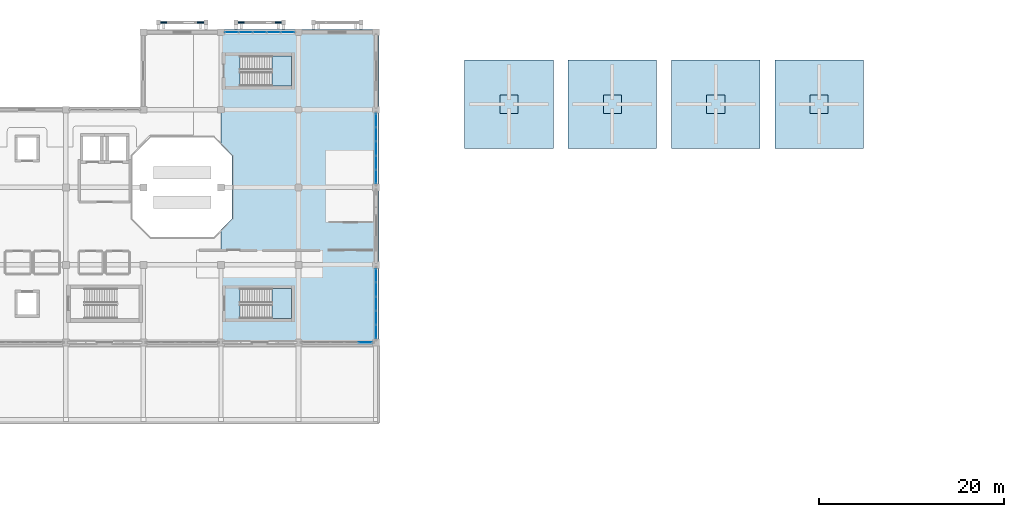
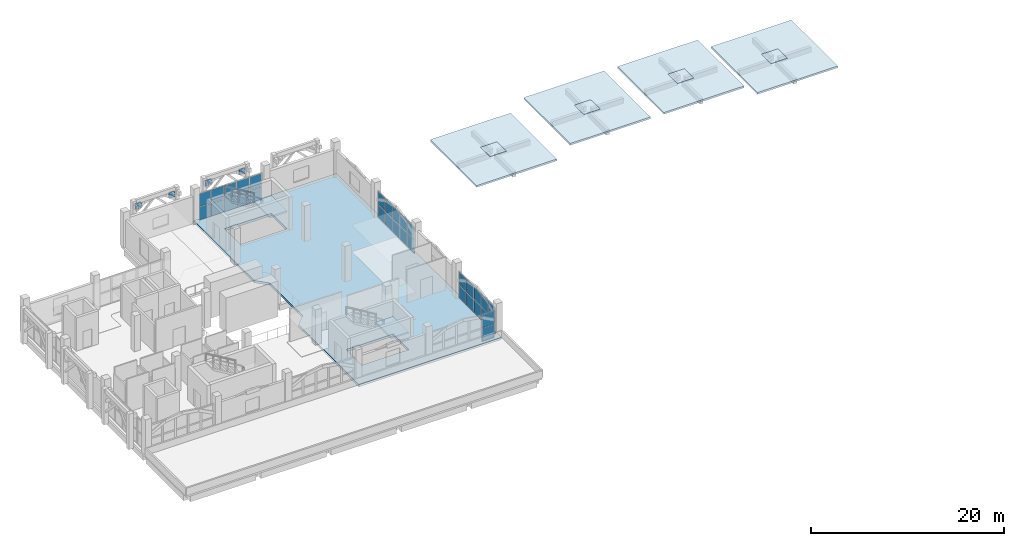
# One storey, part 21 of 30: 40 plates, 7 slabs, 6 elements without a shape of their own.
"""IFC4 building model written with IfcOpenShell, lengths in metres."""

from ifc_helpers import new_model, si_unit, direction, frame, origin, origin_2d, place, context, subcontext, project, spatial, polyline, rectangle, outline, extrude, material, layer, layer_set, type_object, element, aggregate, save


model = new_model("IFC4")

# Units and contexts
model_context = context("Model", 3, precision=1e-05, world=origin(), true_north=direction((0.0, 1.0)))
body_context = subcontext(model_context, "Body", "Model", "MODEL_VIEW")
ifc_project = project(units=[si_unit("LENGTHUNIT", "METRE"), si_unit("AREAUNIT", "SQUARE_METRE"), si_unit("VOLUMEUNIT", "CUBIC_METRE"), si_unit("PLANEANGLEUNIT", "RADIAN"), si_unit("MASSUNIT", "GRAM", prefix="KILO")], contexts=[model_context])

# Site, building, storey
site_placement = place(None, origin())
site = spatial("IfcSite", under=ifc_project, at=site_placement, CompositionType="ELEMENT")
building_placement = place(site_placement, origin())
building = spatial("IfcBuilding", under=site, at=building_placement, Name="Xazarin Passage Department Store", CompositionType="ELEMENT")
storey_placement = place(building_placement, frame((0.0, 0.0, 23.39990234375)))
storey = spatial("IfcBuildingStorey", under=building, at=storey_placement, Name="L05", CompositionType="ELEMENT", Elevation=23.39990234375)

# Curtain wall, plates
ifc_material_1 = material(Name="Bronze anodised aluminium", Category="aluminium")
ifc_layer_1 = layer(ifc_material_1, 0.199951171875)
ifc_layer_set_1 = layer_set([ifc_layer_1], Name="Bronze anodised aluminium")
curtain_wall_type = type_object("IfcCurtainWallType", Name="ARC-CW-VIT2", PredefinedType="NOTDEFINED", material=ifc_layer_set_1)
curtain_wall_1_placement = place(storey_placement, origin())
curtain_wall_1 = element("IfcCurtainWall", 1, at=curtain_wall_1_placement, inside=storey, type_object=curtain_wall_type, Name="L05 V1 Curtain Wall 078", PredefinedType="NOTDEFINED")
ifc_material_2 = material(Name="Low-E laminated safety glass", Category="glass")
ifc_layer_2 = layer(ifc_material_2, 0.031982421875)
ifc_layer_set_2 = layer_set([ifc_layer_2], Name="Low-E laminated safety glass")
plate_type_1 = type_object("IfcPlateType", Name="ARC-CWP-GLZ32", PredefinedType="CURTAIN_PANEL", material=ifc_layer_set_2)
plate_1_placement = place(storey_placement, frame((40.84130859375, 76.39990234375, 0.0751953125), z_axis=(0.0, 0.0, 1.0), x_axis=(1.0, 0.0, 0.0)))
plate_1 = element("IfcPlate", 2, at=plate_1_placement, type_object=plate_type_1, Name="CW2 panel 5.1", PredefinedType="CURTAIN_PANEL", context=body_context, shape_type="SweptSolid", body=[
    extrude(rectangle(XDim=1.41748046875, YDim=0.031982421875, at=origin_2d()), origin(), (0.0, 0.0, 1.0), 1.612548828125),
])
plate_2_placement = place(storey_placement, frame((40.84130859375, 76.39990234375, 1.7626953125), z_axis=(0.0, 0.0, 1.0), x_axis=(1.0, 0.0, 0.0)))
plate_2 = element("IfcPlate", 3, at=plate_2_placement, type_object=plate_type_1, Name="CW2 panel 5.2", PredefinedType="CURTAIN_PANEL", context=body_context, shape_type="SweptSolid", body=[
    extrude(rectangle(XDim=1.41748046875, YDim=0.031982421875, at=origin_2d()), origin(), (0.0, 0.0, 1.0), 1.612548828125),
])
aggregate(curtain_wall_1, [plate_1, plate_2])

curtain_wall_2_placement = place(storey_placement, origin())
curtain_wall_2 = element("IfcCurtainWall", 4, at=curtain_wall_2_placement, inside=storey, type_object=curtain_wall_type, Name="L05 V1 Curtain Wall 080", PredefinedType="NOTDEFINED")
plate_3_placement = place(storey_placement, frame((26.358642578125, 110.0, 0.0751953125), z_axis=(0.0, 0.0, 1.0), x_axis=(1.0, 0.0, 0.0)))
plate_3 = element("IfcPlate", 5, at=plate_3_placement, type_object=plate_type_1, Name="CW2 panel 1.1", PredefinedType="CURTAIN_PANEL", context=body_context, shape_type="SweptSolid", body=[
    extrude(rectangle(XDim=1.41748046875, YDim=0.031982421875, at=origin_2d()), origin(), (0.0, 0.0, 1.0), 1.612548828125),
])
plate_4_placement = place(storey_placement, frame((26.358642578125, 110.0, 1.7626953125), z_axis=(0.0, 0.0, 1.0), x_axis=(1.0, 0.0, 0.0)))
plate_4 = element("IfcPlate", 6, at=plate_4_placement, type_object=plate_type_1, Name="CW2 panel 1.2", PredefinedType="CURTAIN_PANEL", context=body_context, shape_type="SweptSolid", body=[
    extrude(rectangle(XDim=1.41748046875, YDim=0.031982421875, at=origin_2d()), origin(), (0.0, 0.0, 1.0), 1.612548828125),
])
plate_5_placement = place(storey_placement, frame((27.8701171875, 110.0, 0.0751953125), z_axis=(0.0, 0.0, 1.0), x_axis=(1.0, 0.0, 0.0)))
plate_5 = element("IfcPlate", 7, at=plate_5_placement, type_object=plate_type_1, Name="CW2 panel 2.1", PredefinedType="CURTAIN_PANEL", context=body_context, shape_type="SweptSolid", body=[
    extrude(rectangle(XDim=1.455078125, YDim=0.031982421875, at=origin_2d()), origin(), (0.0, 0.0, 1.0), 1.612548828125),
])
plate_6_placement = place(storey_placement, frame((27.8701171875, 110.0, 1.7626953125), z_axis=(0.0, 0.0, 1.0), x_axis=(1.0, 0.0, 0.0)))
plate_6 = element("IfcPlate", 8, at=plate_6_placement, type_object=plate_type_1, Name="CW2 panel 2.2", PredefinedType="CURTAIN_PANEL", context=body_context, shape_type="SweptSolid", body=[
    extrude(rectangle(XDim=1.455078125, YDim=0.031982421875, at=origin_2d()), origin(), (0.0, 0.0, 1.0), 1.612548828125),
])
plate_7_placement = place(storey_placement, frame((29.39990234375, 110.0, 0.0751953125), z_axis=(0.0, 0.0, 1.0), x_axis=(1.0, 0.0, 0.0)))
plate_7 = element("IfcPlate", 9, at=plate_7_placement, type_object=plate_type_1, Name="CW2 panel 3.1", PredefinedType="CURTAIN_PANEL", context=body_context, shape_type="SweptSolid", body=[
    extrude(rectangle(XDim=1.455078125, YDim=0.031982421875, at=origin_2d()), origin(), (0.0, 0.0, 1.0), 1.612548828125),
])
plate_8_placement = place(storey_placement, frame((29.39990234375, 110.0, 1.7626953125), z_axis=(0.0, 0.0, 1.0), x_axis=(1.0, 0.0, 0.0)))
plate_8 = element("IfcPlate", 10, at=plate_8_placement, type_object=plate_type_1, Name="CW2 panel 3.2", PredefinedType="CURTAIN_PANEL", context=body_context, shape_type="SweptSolid", body=[
    extrude(rectangle(XDim=1.455078125, YDim=0.031982421875, at=origin_2d()), origin(), (0.0, 0.0, 1.0), 1.612548828125),
])
plate_9_placement = place(storey_placement, frame((30.929931640625, 110.0, 0.0751953125), z_axis=(0.0, 0.0, 1.0), x_axis=(1.0, 0.0, 0.0)))
plate_9 = element("IfcPlate", 11, at=plate_9_placement, type_object=plate_type_1, Name="CW2 panel 4.1", PredefinedType="CURTAIN_PANEL", context=body_context, shape_type="SweptSolid", body=[
    extrude(rectangle(XDim=1.455078125, YDim=0.031982421875, at=origin_2d()), origin(), (0.0, 0.0, 1.0), 1.612548828125),
])
plate_10_placement = place(storey_placement, frame((30.929931640625, 110.0, 1.7626953125), z_axis=(0.0, 0.0, 1.0), x_axis=(1.0, 0.0, 0.0)))
plate_10 = element("IfcPlate", 12, at=plate_10_placement, type_object=plate_type_1, Name="CW2 panel 4.2", PredefinedType="CURTAIN_PANEL", context=body_context, shape_type="SweptSolid", body=[
    extrude(rectangle(XDim=1.455078125, YDim=0.031982421875, at=origin_2d()), origin(), (0.0, 0.0, 1.0), 1.612548828125),
])
plate_11_placement = place(storey_placement, frame((32.441162109375, 110.0, 0.0751953125), z_axis=(0.0, 0.0, 1.0), x_axis=(1.0, 0.0, 0.0)))
plate_11 = element("IfcPlate", 13, at=plate_11_placement, type_object=plate_type_1, Name="CW2 panel 5.1", PredefinedType="CURTAIN_PANEL", context=body_context, shape_type="SweptSolid", body=[
    extrude(rectangle(XDim=1.41748046875, YDim=0.031982421875, at=origin_2d()), origin(), (0.0, 0.0, 1.0), 1.612548828125),
])
plate_12_placement = place(storey_placement, frame((32.441162109375, 110.0, 1.7626953125), z_axis=(0.0, 0.0, 1.0), x_axis=(1.0, 0.0, 0.0)))
plate_12 = element("IfcPlate", 14, at=plate_12_placement, type_object=plate_type_1, Name="CW2 panel 5.2", PredefinedType="CURTAIN_PANEL", context=body_context, shape_type="SweptSolid", body=[
    extrude(rectangle(XDim=1.41748046875, YDim=0.031982421875, at=origin_2d()), origin(), (0.0, 0.0, 1.0), 1.612548828125),
])
aggregate(curtain_wall_2, [plate_3, plate_4, plate_5, plate_6, plate_7, plate_8, plate_9, plate_10, plate_11, plate_12])

curtain_wall_3_placement = place(storey_placement, origin())
curtain_wall_3 = element("IfcCurtainWall", 15, at=curtain_wall_3_placement, inside=storey, type_object=curtain_wall_type, Name="L05 V1 Curtain Wall 083", PredefinedType="NOTDEFINED")
plate_13_placement = place(storey_placement, frame((42.0, 77.558837890625, 0.0751953125), z_axis=(0.0, 0.0, 1.0), x_axis=(0.0, 1.0, 0.0)))
plate_13 = element("IfcPlate", 16, at=plate_13_placement, type_object=plate_type_1, Name="CW2 panel 1.1", PredefinedType="CURTAIN_PANEL", context=body_context, shape_type="SweptSolid", body=[
    extrude(rectangle(XDim=1.41748046875, YDim=0.031982421875, at=origin_2d()), origin(), (0.0, 0.0, 1.0), 1.612548828125),
])
plate_14_placement = place(storey_placement, frame((42.0, 77.558837890625, 1.7626953125), z_axis=(0.0, 0.0, 1.0), x_axis=(0.0, 1.0, 0.0)))
plate_14 = element("IfcPlate", 17, at=plate_14_placement, type_object=plate_type_1, Name="CW2 panel 1.2", PredefinedType="CURTAIN_PANEL", context=body_context, shape_type="SweptSolid", body=[
    extrude(rectangle(XDim=1.41748046875, YDim=0.031982421875, at=origin_2d()), origin(), (0.0, 0.0, 1.0), 1.612548828125),
])
plate_15_placement = place(storey_placement, frame((42.0, 79.070068359375, 0.0751953125), z_axis=(0.0, 0.0, 1.0), x_axis=(0.0, 1.0, 0.0)))
plate_15 = element("IfcPlate", 18, at=plate_15_placement, type_object=plate_type_1, Name="CW2 panel 2.1", PredefinedType="CURTAIN_PANEL", context=body_context, shape_type="SweptSolid", body=[
    extrude(rectangle(XDim=1.455078125, YDim=0.031982421875, at=origin_2d()), origin(), (0.0, 0.0, 1.0), 1.612548828125),
])
plate_16_placement = place(storey_placement, frame((42.0, 79.070068359375, 1.7626953125), z_axis=(0.0, 0.0, 1.0), x_axis=(0.0, 1.0, 0.0)))
plate_16 = element("IfcPlate", 19, at=plate_16_placement, type_object=plate_type_1, Name="CW2 panel 2.2", PredefinedType="CURTAIN_PANEL", context=body_context, shape_type="SweptSolid", body=[
    extrude(rectangle(XDim=1.455078125, YDim=0.031982421875, at=origin_2d()), origin(), (0.0, 0.0, 1.0), 1.612548828125),
])
plate_17_placement = place(storey_placement, frame((42.0, 80.60009765625, 0.0751953125), z_axis=(0.0, 0.0, 1.0), x_axis=(0.0, 1.0, 0.0)))
plate_17 = element("IfcPlate", 20, at=plate_17_placement, type_object=plate_type_1, Name="CW2 panel 3.1", PredefinedType="CURTAIN_PANEL", context=body_context, shape_type="SweptSolid", body=[
    extrude(rectangle(XDim=1.455078125, YDim=0.031982421875, at=origin_2d()), origin(), (0.0, 0.0, 1.0), 1.612548828125),
])
plate_18_placement = place(storey_placement, frame((42.0, 80.60009765625, 1.7626953125), z_axis=(0.0, 0.0, 1.0), x_axis=(0.0, 1.0, 0.0)))
plate_18 = element("IfcPlate", 21, at=plate_18_placement, type_object=plate_type_1, Name="CW2 panel 3.2", PredefinedType="CURTAIN_PANEL", context=body_context, shape_type="SweptSolid", body=[
    extrude(rectangle(XDim=1.455078125, YDim=0.031982421875, at=origin_2d()), origin(), (0.0, 0.0, 1.0), 1.612548828125),
])
plate_19_placement = place(storey_placement, frame((42.0, 82.1298828125, 0.0751953125), z_axis=(0.0, 0.0, 1.0), x_axis=(0.0, 1.0, 0.0)))
plate_19 = element("IfcPlate", 22, at=plate_19_placement, type_object=plate_type_1, Name="CW2 panel 4.1", PredefinedType="CURTAIN_PANEL", context=body_context, shape_type="SweptSolid", body=[
    extrude(rectangle(XDim=1.455078125, YDim=0.031982421875, at=origin_2d()), origin(), (0.0, 0.0, 1.0), 1.612548828125),
])
plate_20_placement = place(storey_placement, frame((42.0, 82.1298828125, 1.7626953125), z_axis=(0.0, 0.0, 1.0), x_axis=(0.0, 1.0, 0.0)))
plate_20 = element("IfcPlate", 23, at=plate_20_placement, type_object=plate_type_1, Name="CW2 panel 4.2", PredefinedType="CURTAIN_PANEL", context=body_context, shape_type="SweptSolid", body=[
    extrude(rectangle(XDim=1.455078125, YDim=0.031982421875, at=origin_2d()), origin(), (0.0, 0.0, 1.0), 1.612548828125),
])
plate_21_placement = place(storey_placement, frame((42.0, 83.641357421875, 0.0751953125), z_axis=(0.0, 0.0, 1.0), x_axis=(0.0, 1.0, 0.0)))
plate_21 = element("IfcPlate", 24, at=plate_21_placement, type_object=plate_type_1, Name="CW2 panel 5.1", PredefinedType="CURTAIN_PANEL", context=body_context, shape_type="SweptSolid", body=[
    extrude(rectangle(XDim=1.41748046875, YDim=0.031982421875, at=origin_2d()), origin(), (0.0, 0.0, 1.0), 1.612548828125),
])
plate_22_placement = place(storey_placement, frame((42.0, 83.641357421875, 1.7626953125), z_axis=(0.0, 0.0, 1.0), x_axis=(0.0, 1.0, 0.0)))
plate_22 = element("IfcPlate", 25, at=plate_22_placement, type_object=plate_type_1, Name="CW2 panel 5.2", PredefinedType="CURTAIN_PANEL", context=body_context, shape_type="SweptSolid", body=[
    extrude(rectangle(XDim=1.41748046875, YDim=0.031982421875, at=origin_2d()), origin(), (0.0, 0.0, 1.0), 1.612548828125),
])
aggregate(curtain_wall_3, [plate_13, plate_14, plate_15, plate_16, plate_17, plate_18, plate_19, plate_20, plate_21, plate_22])

curtain_wall_4_placement = place(storey_placement, origin())
curtain_wall_4 = element("IfcCurtainWall", 26, at=curtain_wall_4_placement, inside=storey, type_object=curtain_wall_type, Name="L05 V1 Curtain Wall 084", PredefinedType="NOTDEFINED")
plate_23_placement = place(storey_placement, frame((42.0, 94.358642578125, 0.0751953125), z_axis=(0.0, 0.0, 1.0), x_axis=(0.0, 1.0, 0.0)))
plate_23 = element("IfcPlate", 27, at=plate_23_placement, type_object=plate_type_1, Name="CW2 panel 1.1", PredefinedType="CURTAIN_PANEL", context=body_context, shape_type="SweptSolid", body=[
    extrude(rectangle(XDim=1.41748046875, YDim=0.031982421875, at=origin_2d()), origin(), (0.0, 0.0, 1.0), 1.612548828125),
])
plate_24_placement = place(storey_placement, frame((42.0, 94.358642578125, 1.7626953125), z_axis=(0.0, 0.0, 1.0), x_axis=(0.0, 1.0, 0.0)))
plate_24 = element("IfcPlate", 28, at=plate_24_placement, type_object=plate_type_1, Name="CW2 panel 1.2", PredefinedType="CURTAIN_PANEL", context=body_context, shape_type="SweptSolid", body=[
    extrude(rectangle(XDim=1.41748046875, YDim=0.031982421875, at=origin_2d()), origin(), (0.0, 0.0, 1.0), 1.612548828125),
])
plate_25_placement = place(storey_placement, frame((42.0, 95.8701171875, 0.0751953125), z_axis=(0.0, 0.0, 1.0), x_axis=(0.0, 1.0, 0.0)))
plate_25 = element("IfcPlate", 29, at=plate_25_placement, type_object=plate_type_1, Name="CW2 panel 2.1", PredefinedType="CURTAIN_PANEL", context=body_context, shape_type="SweptSolid", body=[
    extrude(rectangle(XDim=1.455078125, YDim=0.031982421875, at=origin_2d()), origin(), (0.0, 0.0, 1.0), 1.612548828125),
])
plate_26_placement = place(storey_placement, frame((42.0, 95.8701171875, 1.7626953125), z_axis=(0.0, 0.0, 1.0), x_axis=(0.0, 1.0, 0.0)))
plate_26 = element("IfcPlate", 30, at=plate_26_placement, type_object=plate_type_1, Name="CW2 panel 2.2", PredefinedType="CURTAIN_PANEL", context=body_context, shape_type="SweptSolid", body=[
    extrude(rectangle(XDim=1.455078125, YDim=0.031982421875, at=origin_2d()), origin(), (0.0, 0.0, 1.0), 1.612548828125),
])
plate_27_placement = place(storey_placement, frame((42.0, 97.39990234375, 0.0751953125), z_axis=(0.0, 0.0, 1.0), x_axis=(0.0, 1.0, 0.0)))
plate_27 = element("IfcPlate", 31, at=plate_27_placement, type_object=plate_type_1, Name="CW2 panel 3.1", PredefinedType="CURTAIN_PANEL", context=body_context, shape_type="SweptSolid", body=[
    extrude(rectangle(XDim=1.455078125, YDim=0.031982421875, at=origin_2d()), origin(), (0.0, 0.0, 1.0), 1.612548828125),
])
plate_28_placement = place(storey_placement, frame((42.0, 97.39990234375, 1.7626953125), z_axis=(0.0, 0.0, 1.0), x_axis=(0.0, 1.0, 0.0)))
plate_28 = element("IfcPlate", 32, at=plate_28_placement, type_object=plate_type_1, Name="CW2 panel 3.2", PredefinedType="CURTAIN_PANEL", context=body_context, shape_type="SweptSolid", body=[
    extrude(rectangle(XDim=1.455078125, YDim=0.031982421875, at=origin_2d()), origin(), (0.0, 0.0, 1.0), 1.612548828125),
])
plate_29_placement = place(storey_placement, frame((42.0, 98.929931640625, 0.0751953125), z_axis=(0.0, 0.0, 1.0), x_axis=(0.0, 1.0, 0.0)))
plate_29 = element("IfcPlate", 33, at=plate_29_placement, type_object=plate_type_1, Name="CW2 panel 4.1", PredefinedType="CURTAIN_PANEL", context=body_context, shape_type="SweptSolid", body=[
    extrude(rectangle(XDim=1.455078125, YDim=0.031982421875, at=origin_2d()), origin(), (0.0, 0.0, 1.0), 1.612548828125),
])
plate_30_placement = place(storey_placement, frame((42.0, 98.929931640625, 1.7626953125), z_axis=(0.0, 0.0, 1.0), x_axis=(0.0, 1.0, 0.0)))
plate_30 = element("IfcPlate", 34, at=plate_30_placement, type_object=plate_type_1, Name="CW2 panel 4.2", PredefinedType="CURTAIN_PANEL", context=body_context, shape_type="SweptSolid", body=[
    extrude(rectangle(XDim=1.455078125, YDim=0.031982421875, at=origin_2d()), origin(), (0.0, 0.0, 1.0), 1.612548828125),
])
plate_31_placement = place(storey_placement, frame((42.0, 100.441162109375, 0.0751953125), z_axis=(0.0, 0.0, 1.0), x_axis=(0.0, 1.0, 0.0)))
plate_31 = element("IfcPlate", 35, at=plate_31_placement, type_object=plate_type_1, Name="CW2 panel 5.1", PredefinedType="CURTAIN_PANEL", context=body_context, shape_type="SweptSolid", body=[
    extrude(rectangle(XDim=1.41748046875, YDim=0.031982421875, at=origin_2d()), origin(), (0.0, 0.0, 1.0), 1.612548828125),
])
plate_32_placement = place(storey_placement, frame((42.0, 100.441162109375, 1.7626953125), z_axis=(0.0, 0.0, 1.0), x_axis=(0.0, 1.0, 0.0)))
plate_32 = element("IfcPlate", 36, at=plate_32_placement, type_object=plate_type_1, Name="CW2 panel 5.2", PredefinedType="CURTAIN_PANEL", context=body_context, shape_type="SweptSolid", body=[
    extrude(rectangle(XDim=1.41748046875, YDim=0.031982421875, at=origin_2d()), origin(), (0.0, 0.0, 1.0), 1.612548828125),
])
aggregate(curtain_wall_4, [plate_23, plate_24, plate_25, plate_26, plate_27, plate_28, plate_29, plate_30, plate_31, plate_32])

# Plates
ifc_material_3 = material(Name="Precast concrete C40/50", Category="concrete")
ifc_layer_3 = layer(ifc_material_3, 0.139892578125)
ifc_layer_set_3 = layer_set([ifc_layer_3], Name="Precast concrete C40/50")
plate_type_2 = type_object("IfcPlateType", Name="ARC-PLT-SCR-07", PredefinedType="USERDEFINED", material=ifc_layer_set_3)
for number, where, z_axis, x_axis, name in (
    (37, (27.39990234375, 111.050048828125, 3.26025390625), (0.0, 0.0, 1.0), (1.0, 0.0, 0.0), "L05 V1 Arch Spandrel Tympanum 0027"),
    (38, (31.39990234375, 111.050048828125, 3.26025390625), (0.0, 0.0, 1.0), (1.0, 0.0, 0.0), "L05 V1 Arch Spandrel Tympanum 0028"),
):
    element("IfcPlate", number, at=place(storey_placement, frame(where, z_axis=z_axis, x_axis=x_axis)), inside=storey, type_object=plate_type_2, Name=name, ObjectType="SCREEN PANEL", PredefinedType="USERDEFINED", context=body_context, shape_type="SweptSolid", body=[
        extrude(rectangle(XDim=0.679931640625, YDim=0.139892578125, at=origin_2d()), origin(), (0.0, 0.0, 1.0), 0.719970703125),
    ])
ifc_layer_4 = layer(ifc_material_3, 0.179931640625)
ifc_layer_set_4 = layer_set([ifc_layer_4], Name="Precast concrete C40/50")
plate_type_3 = type_object("IfcPlateType", Name="ARC-PLT-SCR-11", PredefinedType="USERDEFINED", material=ifc_layer_set_4)
for number, where, z_axis, x_axis, name in (
    (39, (19.0, 111.050048828125, 3.26025390625), (0.0, 0.0, 1.0), (1.0, 0.0, 0.0), "L05 V1 Arch Spandrel Tympanum 0011"),
    (40, (23.0, 111.050048828125, 3.26025390625), (0.0, 0.0, 1.0), (1.0, 0.0, 0.0), "L05 V1 Arch Spandrel Tympanum 0012"),
):
    element("IfcPlate", number, at=place(storey_placement, frame(where, z_axis=z_axis, x_axis=x_axis)), inside=storey, type_object=plate_type_3, Name=name, ObjectType="SCREEN PANEL", PredefinedType="USERDEFINED", context=body_context, shape_type="SweptSolid", body=[
        extrude(rectangle(XDim=0.679931640625, YDim=0.179931640625, at=origin_2d()), origin(), (0.0, 0.0, 1.0), 0.719970703125),
    ])
ifc_layer_5 = layer(ifc_material_2, 0.028076171875)
ifc_layer_set_5 = layer_set([ifc_layer_5], Name="Low-E laminated safety glass")
plate_type_4 = type_object("IfcPlateType", Name="ARC-PLT-VGLZ28", PredefinedType="SHEET", material=ifc_layer_set_5)
for number, where, z_axis, x_axis, name in (
    (41, (56.39990234375, 102.199951171875, 2.97802734375), (0.0, 0.0, 1.0), (1.0, 0.0, 0.0), "Umbrella UM1 Central Oculus Skylight"),
    (42, (67.60009765625, 102.199951171875, 4.378173828125), (0.0, 0.0, 1.0), (1.0, 0.0, 0.0), "Umbrella UM2 Central Oculus Skylight"),
    (43, (78.800048828125, 102.199951171875, 4.378173828125), (0.0, 0.0, 1.0), (1.0, 0.0, 0.0), "Umbrella UM3 Central Oculus Skylight"),
    (44, (90.0, 102.199951171875, 2.97802734375), (0.0, 0.0, 1.0), (1.0, 0.0, 0.0), "Umbrella UM4 Central Oculus Skylight"),
):
    element("IfcPlate", number, at=place(storey_placement, frame(where, z_axis=z_axis, x_axis=x_axis)), inside=storey, type_object=plate_type_4, Name=name, PredefinedType="SHEET", context=body_context, shape_type="SweptSolid", body=[
        extrude(rectangle(XDim=1.9599609375, YDim=1.9599609375, at=origin_2d()), origin(), (0.0, 0.0, 1.0), 0.0439453125),
    ])

# Slab
ifc_material_4 = material(Name="Concrete C35/45", Category="concrete")
ifc_layer_6 = layer(ifc_material_4, 0.300048828125)
ifc_layer_set_6 = layer_set([ifc_layer_6], Name="Concrete C35/45")
slab_type_1 = type_object("IfcSlabType", Name="STR-SLB-FLR300", PredefinedType="FLOOR", material=ifc_layer_set_6)
slab_1_placement = place(storey_placement, frame((0.0, 0.0, -0.2998046875)))
element("IfcSlab", 45, at=slab_1_placement, inside=storey, type_object=slab_type_1, Name="L05 V1 Suspended Floor Slab Bay 2", PredefinedType="FLOOR", context=body_context, shape_type="SweptSolid", body=[
    extrude(outline(polyline([(42.300048828125, 76.10009765625), (42.300048828125, 110.300048828125), (25.2099609375, 110.300048828125), (25.2099609375, 97.7900390625), (26.39990234375, 96.60009765625), (26.39990234375, 89.800048828125), (25.2099609375, 88.610107421875), (25.2099609375, 76.10009765625), (42.300048828125, 76.10009765625)]), holes=[polyline([(32.85009765625, 82.219970703125), (32.85009765625, 78.97998046875), (27.251953125, 78.97998046875), (27.251953125, 82.219970703125), (32.85009765625, 82.219970703125)]), polyline([(32.85009765625, 107.419921875), (32.85009765625, 104.179931640625), (27.251953125, 104.179931640625), (27.251953125, 107.419921875), (32.85009765625, 107.419921875)])]), origin(), (0.0, 0.0, 1.0), 0.2998046875),
])

# Stair, slab
stair_type = type_object("IfcStairType", Name="ARC-ST-TYP", PredefinedType="HALF_TURN_STAIR", material=ifc_material_4)
stair_1_placement = place(storey_placement, origin())
stair_1 = element("IfcStair", 46, at=stair_1_placement, inside=storey, type_object=stair_type, Name="L05 Exit Stair ST2", PredefinedType="HALF_TURN_STAIR")
ifc_layer_7 = layer(ifc_material_4, 0.199951171875)
ifc_layer_set_7 = layer_set([ifc_layer_7], Name="Concrete C35/45")
slab_type_2 = type_object("IfcSlabType", Name="STR-SLB-LND200", PredefinedType="LANDING", material=ifc_layer_set_7)
slab_2_placement = place(storey_placement, frame((0.0, 0.0, 2.050048828125)))
slab_2 = element("IfcSlab", 47, at=slab_2_placement, type_object=slab_type_2, Name="ST2 landing 1", PredefinedType="LANDING", context=body_context, shape_type="SweptSolid", body=[
    extrude(outline(polyline([(30.75, 104.179931640625), (32.85009765625, 104.179931640625), (32.85009765625, 107.419921875), (30.75, 107.419921875), (30.75, 104.179931640625)])), origin(), (0.0, 0.0, 1.0), 0.199951171875),
])
aggregate(stair_1, [slab_2])

stair_2_placement = place(storey_placement, origin())
stair_2 = element("IfcStair", 48, at=stair_2_placement, inside=storey, type_object=stair_type, Name="L05 Exit Stair ST3", PredefinedType="HALF_TURN_STAIR")
slab_3_placement = place(storey_placement, frame((0.0, 0.0, 2.050048828125)))
slab_3 = element("IfcSlab", 49, at=slab_3_placement, type_object=slab_type_2, Name="ST3 landing 1", PredefinedType="LANDING", context=body_context, shape_type="SweptSolid", body=[
    extrude(outline(polyline([(30.75, 78.97998046875), (32.85009765625, 78.97998046875), (32.85009765625, 82.219970703125), (30.75, 82.219970703125), (30.75, 78.97998046875)])), origin(), (0.0, 0.0, 1.0), 0.199951171875),
])
aggregate(stair_2, [slab_3])

# Slabs
ifc_material_5 = material(Name="Concrete C40/50", Category="concrete")
ifc_layer_8 = layer(ifc_material_5, 0.219970703125)
ifc_layer_set_8 = layer_set([ifc_layer_8], Name="Concrete C40/50")
slab_type_3 = type_object("IfcSlabType", Name="STR-SLB-UMB220", PredefinedType="ROOF", material=ifc_layer_set_8)
slab_4_placement = place(storey_placement, frame((0.0, 0.0, 2.780029296875)))
element("IfcSlab", 50, at=slab_4_placement, inside=storey, type_object=slab_type_3, Name="Trading Court Umbrella Canopy UM1", PredefinedType="ROOF", context=body_context, shape_type="SweptSolid", body=[
    extrude(outline(polyline([(51.60009765625, 97.39990234375), (61.199951171875, 97.39990234375), (61.199951171875, 107.0), (51.60009765625, 107.0), (51.60009765625, 97.39990234375)]), holes=[polyline([(55.550048828125, 103.050048828125), (57.25, 103.050048828125), (57.25, 101.35009765625), (55.550048828125, 101.35009765625), (55.550048828125, 103.050048828125)])]), origin(), (0.0, 0.0, 1.0), 0.219970703125),
])
slab_5_placement = place(storey_placement, frame((0.0, 0.0, 4.18017578125)))
element("IfcSlab", 51, at=slab_5_placement, inside=storey, type_object=slab_type_3, Name="Trading Court Umbrella Canopy UM2", PredefinedType="ROOF", context=body_context, shape_type="SweptSolid", body=[
    extrude(outline(polyline([(62.800048828125, 97.39990234375), (72.39990234375, 97.39990234375), (72.39990234375, 107.0), (62.800048828125, 107.0), (62.800048828125, 97.39990234375)]), holes=[polyline([(66.75, 103.050048828125), (68.449951171875, 103.050048828125), (68.449951171875, 101.35009765625), (66.75, 101.35009765625), (66.75, 103.050048828125)])]), origin(), (0.0, 0.0, 1.0), 0.219970703125),
])
slab_6_placement = place(storey_placement, frame((0.0, 0.0, 4.18017578125)))
element("IfcSlab", 52, at=slab_6_placement, inside=storey, type_object=slab_type_3, Name="Trading Court Umbrella Canopy UM3", PredefinedType="ROOF", context=body_context, shape_type="SweptSolid", body=[
    extrude(outline(polyline([(74.0, 97.39990234375), (83.60009765625, 97.39990234375), (83.60009765625, 107.0), (74.0, 107.0), (74.0, 97.39990234375)]), holes=[polyline([(77.949951171875, 103.050048828125), (79.64990234375, 103.050048828125), (79.64990234375, 101.35009765625), (77.949951171875, 101.35009765625), (77.949951171875, 103.050048828125)])]), origin(), (0.0, 0.0, 1.0), 0.219970703125),
])
slab_7_placement = place(storey_placement, frame((0.0, 0.0, 2.780029296875)))
element("IfcSlab", 53, at=slab_7_placement, inside=storey, type_object=slab_type_3, Name="Trading Court Umbrella Canopy UM4", PredefinedType="ROOF", context=body_context, shape_type="SweptSolid", body=[
    extrude(outline(polyline([(85.199951171875, 97.39990234375), (94.800048828125, 97.39990234375), (94.800048828125, 107.0), (85.199951171875, 107.0), (85.199951171875, 97.39990234375)]), holes=[polyline([(89.14990234375, 103.050048828125), (90.85009765625, 103.050048828125), (90.85009765625, 101.35009765625), (89.14990234375, 101.35009765625), (89.14990234375, 103.050048828125)])]), origin(), (0.0, 0.0, 1.0), 0.219970703125),
])

save(model, "model.ifc")
